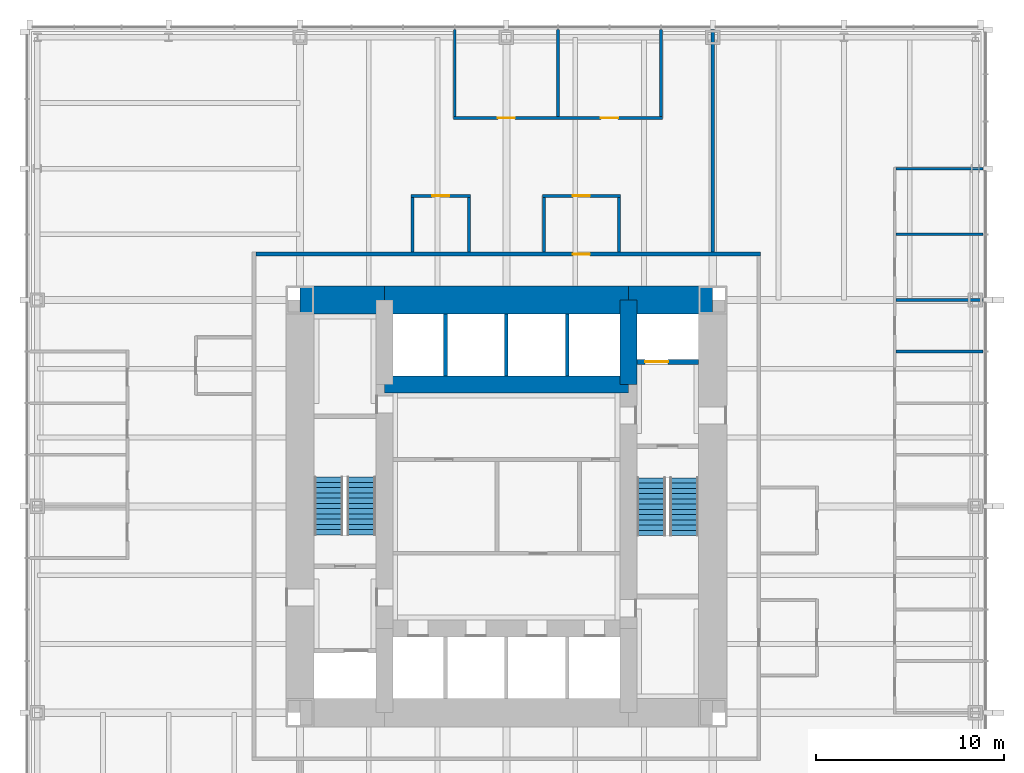
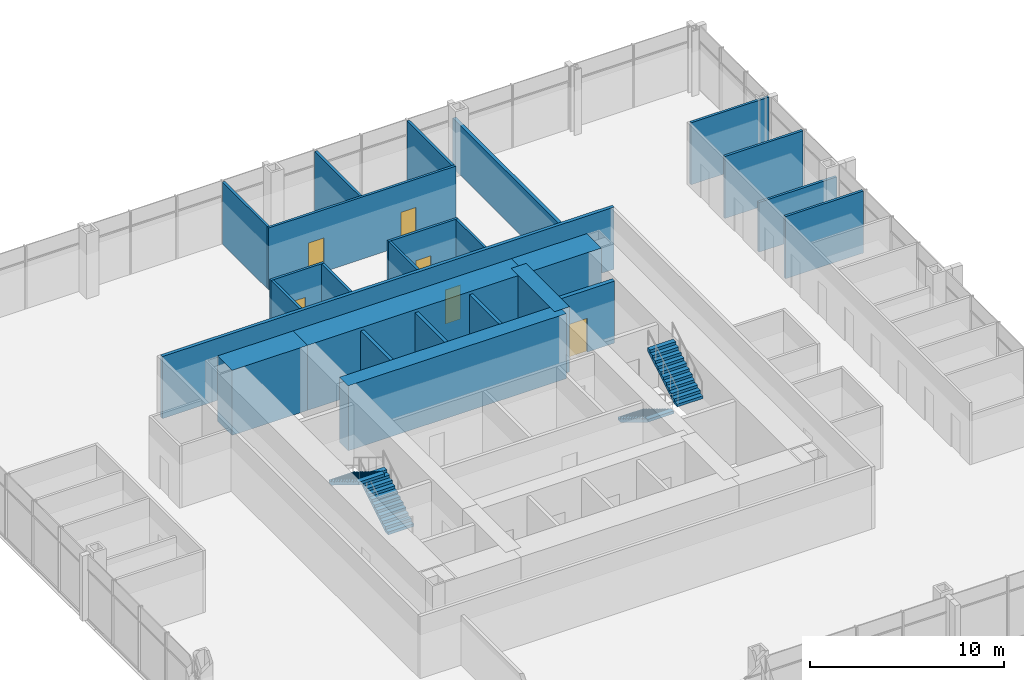
# One storey, part 11 of 12: 25 walls, 6 doors, 4 stair flights, 6 openings, 2 elements without a shape of their own.
"""IFC4 building model written with IfcOpenShell, lengths in metres."""

from ifc_helpers import new_model, si_unit, direction, frame, frame_2d, origin, place, context, subcontext, project, spatial, polyline, rectangle, outline, extrude, material, layer, layer_set, type_object, element, fill, aggregate, save


model = new_model("IFC4")

# Units and contexts
model_context = context("Model", 3, precision=1e-05, world=origin(), true_north=direction((0.0, 1.0)))
body_context = subcontext(model_context, "Body", "Model", "MODEL_VIEW")
ifc_project = project(units=[si_unit("LENGTHUNIT", "METRE"), si_unit("AREAUNIT", "SQUARE_METRE"), si_unit("VOLUMEUNIT", "CUBIC_METRE"), si_unit("PLANEANGLEUNIT", "RADIAN"), si_unit("MASSUNIT", "GRAM", prefix="KILO")], contexts=[model_context])

# Site, building, storey
site_placement = place(None, origin())
site = spatial("IfcSite", under=ifc_project, at=site_placement, CompositionType="ELEMENT")
building_placement = place(site_placement, origin())
building = spatial("IfcBuilding", under=site, at=building_placement, Name="Trevanion Tower", CompositionType="ELEMENT")
storey_placement = place(building_placement, frame((0.0, 0.0, 44.699951171875)))
storey = spatial("IfcBuildingStorey", under=building, at=storey_placement, Name="L10", CompositionType="ELEMENT", Elevation=44.699951171875)

# Walls
ifc_material_1 = material(Name="Concrete 10,000 psi", Category="concrete")
ifc_layer_1 = layer(ifc_material_1, 1.5)
ifc_layer_set_1 = layer_set([ifc_layer_1], Name="CW1 core wall 1500")
wall_type_1 = type_object("IfcWallType", Name="CW1 core wall 1500", PredefinedType="SHEAR", material=ifc_layer_set_1)
wall_1_placement = place(storey_placement, frame((11.0, 11.0, 0.0), z_axis=(0.0, 0.0, 1.0), x_axis=(-1.0, 0.0, 0.0)))
element("IfcWall", 1, at=wall_1_placement, inside=storey, type_object=wall_type_1, Name="CW1 CN1 L10", PredefinedType="SHEAR", context=body_context, shape_type="SweptSolid", body=[
    extrude(rectangle(XDim=4.5, YDim=1.5, at=frame_2d((2.25, 0.0))), origin(), (0.0, 0.0, 1.0), 4.10009765625),
])
wall_2_placement = place(storey_placement, frame((6.5, 11.0, 0.0), z_axis=(0.0, 0.0, 1.0), x_axis=(-1.0, 0.0, 0.0)))
element("IfcWall", 2, at=wall_2_placement, inside=storey, type_object=wall_type_1, Name="CW1 CN2 L10", PredefinedType="SHEAR", context=body_context, shape_type="SweptSolid", body=[
    extrude(rectangle(XDim=13.0, YDim=1.5, at=frame_2d((6.5, 0.0))), origin(), (0.0, 0.0, 1.0), 4.10009765625),
])
wall_3_placement = place(storey_placement, frame((-6.5, 11.0, 0.0), z_axis=(0.0, 0.0, 1.0), x_axis=(-1.0, 0.0, 0.0)))
element("IfcWall", 3, at=wall_3_placement, inside=storey, type_object=wall_type_1, Name="CW1 CN3 L10", PredefinedType="SHEAR", context=body_context, shape_type="SweptSolid", body=[
    extrude(rectangle(XDim=4.5, YDim=1.5, at=frame_2d((2.25, 0.0))), origin(), (0.0, 0.0, 1.0), 4.10009765625),
])
ifc_material_2 = material(Name="Concrete 10,000 psi", Category="concrete")
ifc_layer_2 = layer(ifc_material_2, 0.89990234375)
ifc_layer_set_2 = layer_set([ifc_layer_2], Name="CW2 core wall 900")
wall_type_2 = type_object("IfcWallType", Name="CW2 core wall 900", PredefinedType="SHEAR", material=ifc_layer_set_2)
wall_4_placement = place(storey_placement, frame((6.5, 6.5, 0.0), z_axis=(0.0, 0.0, 1.0), x_axis=(0.0, 1.0, 0.0)))
element("IfcWall", 4, at=wall_4_placement, inside=storey, type_object=wall_type_2, Name="CW2 RE3 L10", PredefinedType="SHEAR", context=body_context, shape_type="SweptSolid", body=[
    extrude(rectangle(XDim=4.5, YDim=0.89990234375, at=frame_2d((2.25, 0.0))), origin(), (0.0, 0.0, 1.0), 4.10009765625),
])
wall_5_placement = place(storey_placement, frame((6.5, 6.5, 0.0), z_axis=(0.0, 0.0, 1.0), x_axis=(-1.0, 0.0, 0.0)))
element("IfcWall", 5, at=wall_5_placement, inside=storey, type_object=wall_type_2, Name="CW2 RN L10", PredefinedType="SHEAR", context=body_context, shape_type="SweptSolid", body=[
    extrude(rectangle(XDim=13.0, YDim=0.89990234375, at=frame_2d((6.5, 0.0))), origin(), (0.0, 0.0, 1.0), 4.10009765625),
])
ifc_material_3 = material(Name="Gypsum board on steel studs", Category="steel")
ifc_layer_3 = layer(ifc_material_3, 0.14990234375)
ifc_layer_set_3 = layer_set([ifc_layer_3], Name="PT1 partition 150")
wall_type_3 = type_object("IfcWallType", Name="PT1 partition 150", PredefinedType="PARTITIONING", material=ifc_layer_set_3)
wall_6_placement = place(storey_placement, frame((20.77490234375, 8.25, 0.0), z_axis=(0.0, 0.0, 1.0), x_axis=(1.0, 0.0, 0.0)))
element("IfcWall", 6, at=wall_6_placement, inside=storey, type_object=wall_type_3, Name="PT1 L10 FC0S7", PredefinedType="PARTITIONING", context=body_context, shape_type="SweptSolid", body=[
    extrude(rectangle(XDim=4.64013671875, YDim=0.14990234375, at=frame_2d((2.320068359375, 0.0))), origin(), (0.0, 0.0, 1.0), 3.91015625),
])
wall_7_placement = place(storey_placement, frame((20.77490234375, 11.0, 0.0), z_axis=(0.0, 0.0, 1.0), x_axis=(1.0, 0.0, 0.0)))
element("IfcWall", 7, at=wall_7_placement, inside=storey, type_object=wall_type_3, Name="PT1 L10 FC0S8", PredefinedType="PARTITIONING", context=body_context, shape_type="SweptSolid", body=[
    extrude(rectangle(XDim=4.64013671875, YDim=0.14990234375, at=frame_2d((2.320068359375, 0.0))), origin(), (0.0, 0.0, 1.0), 3.130126953125),
])
for number, where, z_axis, x_axis, name in (
    (8, (20.77490234375, 14.5, 0.0), (0.0, 0.0, 1.0), (1.0, 0.0, 0.0), "PT1 L10 FC0S9"),
    (9, (20.77490234375, 18.0, 0.0), (0.0, 0.0, 1.0), (1.0, 0.0, 0.0), "PT1 L10 FC0S10"),
):
    element("IfcWall", number, at=place(storey_placement, frame(where, z_axis=z_axis, x_axis=x_axis)), inside=storey, type_object=wall_type_3, Name=name, PredefinedType="PARTITIONING", context=body_context, shape_type="SweptSolid", body=[
        extrude(rectangle(XDim=4.64013671875, YDim=0.14990234375, at=frame_2d((2.320068359375, 0.0))), origin(), (0.0, 0.0, 1.0), 3.91015625),
    ])

# Wall, openings, doors
wall_8_placement = place(storey_placement, frame((8.324951171875, 20.699951171875, 0.0), z_axis=(0.0, 0.0, 1.0), x_axis=(-1.0, 0.0, 0.0)))
wall_8 = element("IfcWall", 10, at=wall_8_placement, inside=storey, type_object=wall_type_3, Name="PT1 L10 FC1F", PredefinedType="PARTITIONING", context=body_context, shape_type="SweptSolid", body=[
    extrude(rectangle(XDim=11.14990234375, YDim=0.14990234375, at=frame_2d((5.574951171875, 0.0))), origin(), (0.0, 0.0, 1.0), 3.91015625),
])
opening_1_placement = place(wall_8_placement, frame((2.367431640625, 0.0, 0.0)))
opening_1 = element("IfcOpeningElement", 11, at=opening_1_placement, cuts=wall_8, Name="Opening 10-032", PredefinedType="OPENING", context=body_context, shape_type="SweptSolid", body=[
    extrude(rectangle(XDim=0.9150390625, YDim=2.134033203125, at=frame_2d((0.45751953125, 1.06689453125))), frame((0.0, 0.0849609375, 0.0), z_axis=(0.0, -1.0, 0.0), x_axis=(1.0, 0.0, 0.0)), (0.0, 0.0, 1.0), 0.169921875),
])
opening_2_placement = place(wall_8_placement, frame((7.867431640625, 0.0, 0.0)))
opening_2 = element("IfcOpeningElement", 12, at=opening_2_placement, cuts=wall_8, Name="Opening 10-033", PredefinedType="OPENING", context=body_context, shape_type="SweptSolid", body=[
    extrude(rectangle(XDim=0.9150390625, YDim=2.134033203125, at=frame_2d((0.45751953125, 1.06689453125))), frame((0.0, 0.0849609375, 0.0), z_axis=(0.0, -1.0, 0.0), x_axis=(1.0, 0.0, 0.0)), (0.0, 0.0, 1.0), 0.169921875),
])
ifc_material_4 = material(Name="Timber veneer, solid core", Category="wood")
door_type_1 = type_object("IfcDoorType", Name="D1 office and meeting room door", OperationType="SINGLE_SWING_LEFT", PredefinedType="DOOR", material=ifc_material_4)
door_1_placement = place(opening_1_placement, origin())
door_1 = element("IfcDoor", 13, at=door_1_placement, inside=storey, type_object=door_type_1, Name="Door 10-032", OperationType="SINGLE_SWING_LEFT", OverallHeight=2.134033203125, OverallWidth=0.9150390625, PredefinedType="DOOR", context=body_context, shape_type="SweptSolid", body=[
    extrude(rectangle(XDim=0.9150390625, YDim=2.134033203125, at=frame_2d((0.45751953125, 1.06689453125))), frame((0.0, 0.02490234375, 0.0), z_axis=(0.0, -1.0, 0.0), x_axis=(1.0, 0.0, 0.0)), (0.0, 0.0, 1.0), 0.050048828125),
])
fill(opening_1, door_1)
door_2_placement = place(opening_2_placement, origin())
door_2 = element("IfcDoor", 14, at=door_2_placement, inside=storey, type_object=door_type_1, Name="Door 10-033", OperationType="SINGLE_SWING_LEFT", OverallHeight=2.134033203125, OverallWidth=0.9150390625, PredefinedType="DOOR", context=body_context, shape_type="SweptSolid", body=[
    extrude(rectangle(XDim=0.9150390625, YDim=2.134033203125, at=frame_2d((0.45751953125, 1.06689453125))), frame((0.0, 0.02490234375, 0.0), z_axis=(0.0, -1.0, 0.0), x_axis=(1.0, 0.0, 0.0)), (0.0, 0.0, 1.0), 0.050048828125),
])
fill(opening_2, door_2)

# Walls
for number, where, z_axis, x_axis, name in (
    (15, (8.25, 20.77490234375, 0.0), (0.0, 0.0, 1.0), (0.0, 1.0, 0.0), "PT1 L10 FC1S0"),
    (16, (2.75, 20.77490234375, 0.0), (0.0, 0.0, 1.0), (0.0, 1.0, 0.0), "PT1 L10 FC1S2"),
    (17, (-2.75, 20.77490234375, 0.0), (0.0, 0.0, 1.0), (0.0, 1.0, 0.0), "PT1 L10 FC1S4"),
):
    element("IfcWall", number, at=place(storey_placement, frame(where, z_axis=z_axis, x_axis=x_axis)), inside=storey, type_object=wall_type_3, Name=name, PredefinedType="PARTITIONING", context=body_context, shape_type="SweptSolid", body=[
        extrude(rectangle(XDim=4.64013671875, YDim=0.14990234375, at=frame_2d((2.320068359375, 0.0))), origin(), (0.0, 0.0, 1.0), 3.91015625),
    ])

# Wall, opening, door
wall_9_placement = place(storey_placement, frame((6.074951171875, 16.550048828125, 0.0), z_axis=(0.0, 0.0, 1.0), x_axis=(-1.0, 0.0, 0.0)))
wall_9 = element("IfcWall", 18, at=wall_9_placement, inside=storey, type_object=wall_type_3, Name="PT1 L10 IN10F", PredefinedType="PARTITIONING", context=body_context, shape_type="SweptSolid", body=[
    extrude(rectangle(XDim=4.14990234375, YDim=0.14990234375, at=frame_2d((2.074951171875, 0.0))), origin(), (0.0, 0.0, 1.0), 3.91015625),
])
opening_3_placement = place(wall_9_placement, frame((1.617431640625, 0.0, 0.0)))
opening_3 = element("IfcOpeningElement", 19, at=opening_3_placement, cuts=wall_9, Name="Opening 10-037", PredefinedType="OPENING", context=body_context, shape_type="SweptSolid", body=[
    extrude(rectangle(XDim=0.9150390625, YDim=2.134033203125, at=frame_2d((0.45751953125, 1.06689453125))), frame((0.0, 0.0849609375, 0.0), z_axis=(0.0, -1.0, 0.0), x_axis=(1.0, 0.0, 0.0)), (0.0, 0.0, 1.0), 0.169921875),
])
door_3_placement = place(opening_3_placement, origin())
door_3 = element("IfcDoor", 20, at=door_3_placement, inside=storey, type_object=door_type_1, Name="Door 10-037", OperationType="SINGLE_SWING_LEFT", OverallHeight=2.134033203125, OverallWidth=0.9150390625, PredefinedType="DOOR", context=body_context, shape_type="SweptSolid", body=[
    extrude(rectangle(XDim=0.9150390625, YDim=2.134033203125, at=frame_2d((0.45751953125, 1.06689453125))), frame((0.0, 0.02490234375, 0.0), z_axis=(0.0, -1.0, 0.0), x_axis=(1.0, 0.0, 0.0)), (0.0, 0.0, 1.0), 0.050048828125),
])
fill(opening_3, door_3)

# Walls
for number, where, z_axis, x_axis, name in (
    (21, (6.0, 16.47509765625, 0.0), (0.0, 0.0, 1.0), (0.0, -1.0, 0.0), "PT1 L10 IN10S0"),
    (22, (2.0, 16.47509765625, 0.0), (0.0, 0.0, 1.0), (0.0, -1.0, 0.0), "PT1 L10 IN10S1"),
):
    element("IfcWall", number, at=place(storey_placement, frame(where, z_axis=z_axis, x_axis=x_axis)), inside=storey, type_object=wall_type_3, Name=name, PredefinedType="PARTITIONING", context=body_context, shape_type="SweptSolid", body=[
        extrude(rectangle(XDim=2.925048828125, YDim=0.14990234375, at=frame_2d((1.46240234375, 0.0))), origin(), (0.0, 0.0, 1.0), 3.91015625),
    ])

# Wall, opening, door
wall_10_placement = place(storey_placement, frame((-1.925048828125, 16.550048828125, 0.0), z_axis=(0.0, 0.0, 1.0), x_axis=(-1.0, 0.0, 0.0)))
wall_10 = element("IfcWall", 23, at=wall_10_placement, inside=storey, type_object=wall_type_3, Name="PT1 L10 IN11F", PredefinedType="PARTITIONING", context=body_context, shape_type="SweptSolid", body=[
    extrude(rectangle(XDim=3.14990234375, YDim=0.14990234375, at=frame_2d((1.574951171875, 0.0))), origin(), (0.0, 0.0, 1.0), 3.91015625),
])
opening_4_placement = place(wall_10_placement, frame((1.117431640625, 0.0, 0.0)))
opening_4 = element("IfcOpeningElement", 24, at=opening_4_placement, cuts=wall_10, Name="Opening 10-039", PredefinedType="OPENING", context=body_context, shape_type="SweptSolid", body=[
    extrude(rectangle(XDim=0.9150390625, YDim=2.134033203125, at=frame_2d((0.45751953125, 1.06689453125))), frame((0.0, 0.0849609375, 0.0), z_axis=(0.0, -1.0, 0.0), x_axis=(1.0, 0.0, 0.0)), (0.0, 0.0, 1.0), 0.169921875),
])
door_4_placement = place(opening_4_placement, origin())
door_4 = element("IfcDoor", 25, at=door_4_placement, inside=storey, type_object=door_type_1, Name="Door 10-039", OperationType="SINGLE_SWING_LEFT", OverallHeight=2.134033203125, OverallWidth=0.9150390625, PredefinedType="DOOR", context=body_context, shape_type="SweptSolid", body=[
    extrude(rectangle(XDim=0.9150390625, YDim=2.134033203125, at=frame_2d((0.45751953125, 1.06689453125))), frame((0.0, 0.02490234375, 0.0), z_axis=(0.0, -1.0, 0.0), x_axis=(1.0, 0.0, 0.0)), (0.0, 0.0, 1.0), 0.050048828125),
])
fill(opening_4, door_4)

# Walls
for number, where, z_axis, x_axis, name in (
    (26, (-2.0, 16.47509765625, 0.0), (0.0, 0.0, 1.0), (0.0, -1.0, 0.0), "PT1 L10 IN11S0"),
    (27, (-5.0, 16.47509765625, 0.0), (0.0, 0.0, 1.0), (0.0, -1.0, 0.0), "PT1 L10 IN11S1"),
):
    element("IfcWall", number, at=place(storey_placement, frame(where, z_axis=z_axis, x_axis=x_axis)), inside=storey, type_object=wall_type_3, Name=name, PredefinedType="PARTITIONING", context=body_context, shape_type="SweptSolid", body=[
        extrude(rectangle(XDim=2.925048828125, YDim=0.14990234375, at=frame_2d((1.46240234375, 0.0))), origin(), (0.0, 0.0, 1.0), 3.91015625),
    ])

# Wall, opening, door
ifc_material_5 = material(Name="Concrete masonry, grouted", Category="masonry")
ifc_layer_4 = layer(ifc_material_5, 0.199951171875)
ifc_layer_set_4 = layer_set([ifc_layer_4], Name="PT2 partition 200 1 HR")
wall_type_4 = type_object("IfcWallType", Name="PT2 partition 200 1 HR", PredefinedType="PARTITIONING", material=ifc_layer_set_4)
wall_11_placement = place(storey_placement, frame((13.550048828125, 13.449951171875, 0.0), z_axis=(0.0, 0.0, 1.0), x_axis=(-1.0, 0.0, 0.0)))
wall_11 = element("IfcWall", 28, at=wall_11_placement, inside=storey, type_object=wall_type_4, Name="PT2 L10 OC1", PredefinedType="PARTITIONING", context=body_context, shape_type="SweptSolid", body=[
    extrude(rectangle(XDim=26.900146484375, YDim=0.199951171875, at=frame_2d((13.4501953125, 0.0))), origin(), (0.0, 0.0, 1.0), 3.91015625),
])
opening_5_placement = place(wall_11_placement, frame((9.092529296875, 0.0, 0.0)))
opening_5 = element("IfcOpeningElement", 29, at=opening_5_placement, cuts=wall_11, Name="Opening 10-038", PredefinedType="OPENING", context=body_context, shape_type="SweptSolid", body=[
    extrude(rectangle(XDim=0.9150390625, YDim=2.134033203125, at=frame_2d((0.45751953125, 1.06689453125))), frame((0.0, 0.10986328125, 0.0), z_axis=(0.0, -1.0, 0.0), x_axis=(1.0, 0.0, 0.0)), (0.0, 0.0, 1.0), 0.219970703125),
])
ifc_material_6 = material(Name="Timber veneer, fire rated", Category="wood")
door_type_2 = type_object("IfcDoorType", Name="D10 office door in a one hour wall", OperationType="SINGLE_SWING_LEFT", PredefinedType="DOOR", material=ifc_material_6)
door_5_placement = place(opening_5_placement, origin())
door_5 = element("IfcDoor", 30, at=door_5_placement, inside=storey, type_object=door_type_2, Name="Door 10-038", OperationType="SINGLE_SWING_LEFT", OverallHeight=2.134033203125, OverallWidth=0.9150390625, PredefinedType="DOOR", context=body_context, shape_type="SweptSolid", body=[
    extrude(rectangle(XDim=0.9150390625, YDim=2.134033203125, at=frame_2d((0.45751953125, 1.06689453125))), frame((0.0, 0.02490234375, 0.0), z_axis=(0.0, -1.0, 0.0), x_axis=(1.0, 0.0, 0.0)), (0.0, 0.0, 1.0), 0.050048828125),
])
fill(opening_5, door_5)

# Walls
wall_12_placement = place(storey_placement, frame((11.0, 13.550048828125, 0.0), z_axis=(0.0, 0.0, 1.0), x_axis=(0.0, 1.0, 0.0)))
element("IfcWall", 31, at=wall_12_placement, inside=storey, type_object=wall_type_4, Name="PT2 L10 DM0", PredefinedType="PARTITIONING", context=body_context, shape_type="SweptSolid", body=[
    extrude(rectangle(XDim=11.864990234375, YDim=0.199951171875, at=frame_2d((5.9326171875, 0.0))), origin(), (0.0, 0.0, 1.0), 3.130126953125),
])
ifc_material_7 = material(Name="Concrete masonry, grouted", Category="masonry")
ifc_layer_5 = layer(ifc_material_7, 0.199951171875)
ifc_layer_set_5 = layer_set([ifc_layer_5], Name="PT2 partition 200 2 HR")
wall_type_5 = type_object("IfcWallType", Name="PT2 partition 200 2 HR", PredefinedType="PARTITIONING", material=ifc_layer_set_5)
for number, where, z_axis, x_axis, name in (
    (32, (-3.25, 6.949951171875, 0.0), (0.0, 0.0, 1.0), (0.0, 1.0, 0.0), "PT2 L10 NS0"),
    (33, (0.0, 6.949951171875, 0.0), (0.0, 0.0, 1.0), (0.0, 1.0, 0.0), "PT2 L10 NS1"),
    (34, (3.25, 6.949951171875, 0.0), (0.0, 0.0, 1.0), (0.0, 1.0, 0.0), "PT2 L10 NS2"),
):
    element("IfcWall", number, at=place(storey_placement, frame(where, z_axis=z_axis, x_axis=x_axis)), inside=storey, type_object=wall_type_5, Name=name, PredefinedType="PARTITIONING", context=body_context, shape_type="SweptSolid", body=[
        extrude(rectangle(XDim=3.300048828125, YDim=0.199951171875, at=frame_2d((1.64990234375, 0.0))), origin(), (0.0, 0.0, 1.0), 3.91015625),
    ])

# Wall, opening, door
ifc_material_8 = material(Name="Concrete masonry, grouted, two-hour", Category="masonry")
ifc_layer_6 = layer(ifc_material_8, 0.25)
ifc_layer_set_6 = layer_set([ifc_layer_6], Name="PT3 partition 250 2 HR")
wall_type_6 = type_object("IfcWallType", Name="PT3 partition 250 2 HR", PredefinedType="PARTITIONING", material=ifc_layer_set_6)
wall_13_placement = place(storey_placement, frame((6.949951171875, 7.699951171875, 0.0), z_axis=(0.0, 0.0, 1.0), x_axis=(1.0, 0.0, 0.0)))
wall_13 = element("IfcWall", 35, at=wall_13_placement, inside=storey, type_object=wall_type_6, Name="PT3 L10 EP3", PredefinedType="PARTITIONING", context=body_context, shape_type="SweptSolid", body=[
    extrude(rectangle(XDim=3.300048828125, YDim=0.25, at=frame_2d((1.64990234375, 0.0))), origin(), (0.0, 0.0, 1.0), 3.91015625),
])
opening_6_placement = place(wall_13_placement, frame((0.449951171875, 0.0, 0.0)))
opening_6 = element("IfcOpeningElement", 36, at=opening_6_placement, cuts=wall_13, Name="Opening 10-007", PredefinedType="OPENING", context=body_context, shape_type="SweptSolid", body=[
    extrude(rectangle(XDim=1.218994140625, YDim=2.134033203125, at=frame_2d((0.609375, 1.06689453125))), frame((0.0, 0.135009765625, 0.0), z_axis=(0.0, -1.0, 0.0), x_axis=(1.0, 0.0, 0.0)), (0.0, 0.0, 1.0), 0.27001953125),
])
ifc_material_9 = material(Name="Stainless steel, fire rated", Category="steel")
door_type_3 = type_object("IfcDoorType", Name="LD2 fire service lift landing door", OperationType="SLIDING_TO_LEFT", PredefinedType="DOOR", material=ifc_material_9)
door_6_placement = place(opening_6_placement, origin())
door_6 = element("IfcDoor", 37, at=door_6_placement, inside=storey, type_object=door_type_3, Name="Door 10-007", OperationType="SLIDING_TO_LEFT", OverallHeight=2.134033203125, OverallWidth=1.218994140625, PredefinedType="DOOR", context=body_context, shape_type="SweptSolid", body=[
    extrude(rectangle(XDim=1.218994140625, YDim=2.134033203125, at=frame_2d((0.609375, 1.06689453125))), frame((0.0, 0.02490234375, 0.0), z_axis=(0.0, -1.0, 0.0), x_axis=(1.0, 0.0, 0.0)), (0.0, 0.0, 1.0), 0.050048828125),
])
fill(opening_6, door_6)

# Stair, stair flights
ifc_material_10 = material(Name="Concrete 5,000 psi on steel stringers", Category="concrete")
stair_type = type_object("IfcStairType", Name="ST stair", PredefinedType="HALF_TURN_STAIR", material=ifc_material_10)
stair_1_placement = place(storey_placement, origin())
stair_1 = element("IfcStair", 38, at=stair_1_placement, inside=storey, type_object=stair_type, Name="ST1 L10", PredefinedType="HALF_TURN_STAIR")
ifc_material_11 = material(Name="Concrete 5,000 psi in steel pan", Category="concrete")
stair_flight_type = type_object("IfcStairFlightType", Name="STF stair flight", PredefinedType="STRAIGHT", material=ifc_material_11)
stair_flight_1_placement = place(storey_placement, frame((7.72509765625, 1.52490234375, 0.0), z_axis=(0.0, 0.0, 1.0), x_axis=(0.0, -1.0, 0.0)))
stair_flight_1 = element("IfcStairFlight", 39, at=stair_flight_1_placement, type_object=stair_flight_type, Name="ST1 flight 1", NumberOfRisers=12, NumberOfTreads=11, PredefinedType="STRAIGHT", RiserHeight=0.170833333, TreadLength=0.28, context=body_context, shape_type="SweptSolid", body=[
    extrude(outline(polyline([(0.0, 0.0), (0.0, 0.1708984375), (0.280029296875, 0.1708984375), (0.280029296875, 0.341552734375), (0.56005859375, 0.341552734375), (0.56005859375, 0.512451171875), (0.840087890625, 0.512451171875), (0.840087890625, 0.683349609375), (1.1201171875, 0.683349609375), (1.1201171875, 0.854248046875), (1.39990234375, 0.854248046875), (1.39990234375, 1.02490234375), (1.679931640625, 1.02490234375), (1.679931640625, 1.19580078125), (1.9599609375, 1.19580078125), (1.9599609375, 1.36669921875), (2.239990234375, 1.36669921875), (2.239990234375, 1.53759765625), (2.52001953125, 1.53759765625), (2.52001953125, 1.708251953125), (2.800048828125, 1.708251953125), (2.800048828125, 1.879150390625), (3.080078125, 1.879150390625), (3.080078125, 2.050048828125), (3.080078125, 1.70361328125), (0.287841796875, 0.0), (0.0, 0.0)])), frame((0.0, 0.77490234375, 0.0), z_axis=(0.0, -1.0, 0.0), x_axis=(1.0, 0.0, 0.0)), (0.0, 0.0, 1.0), 1.550048828125),
])
stair_flight_2_placement = place(storey_placement, frame((9.47509765625, -1.554931640625, 2.050048828125), z_axis=(0.0, 0.0, 1.0), x_axis=(0.0, 1.0, 0.0)))
stair_flight_2 = element("IfcStairFlight", 40, at=stair_flight_2_placement, type_object=stair_flight_type, Name="ST1 flight 2", NumberOfRisers=12, NumberOfTreads=11, PredefinedType="STRAIGHT", RiserHeight=0.170833333, TreadLength=0.28, context=body_context, shape_type="SweptSolid", body=[
    extrude(outline(polyline([(0.0, 0.0), (0.0, 0.1708984375), (0.280029296875, 0.1708984375), (0.280029296875, 0.341552734375), (0.56005859375, 0.341552734375), (0.56005859375, 0.512451171875), (0.840087890625, 0.512451171875), (0.840087890625, 0.683349609375), (1.1201171875, 0.683349609375), (1.1201171875, 0.854248046875), (1.39990234375, 0.854248046875), (1.39990234375, 1.02490234375), (1.679931640625, 1.02490234375), (1.679931640625, 1.19580078125), (1.9599609375, 1.19580078125), (1.9599609375, 1.36669921875), (2.239990234375, 1.36669921875), (2.239990234375, 1.53759765625), (2.52001953125, 1.53759765625), (2.52001953125, 1.708251953125), (2.800048828125, 1.708251953125), (2.800048828125, 1.879150390625), (3.080078125, 1.879150390625), (3.080078125, 2.050048828125), (3.080078125, 1.70361328125), (0.287841796875, 0.0), (0.0, 0.0)])), frame((0.0, 0.77490234375, 0.0), z_axis=(0.0, -1.0, 0.0), x_axis=(1.0, 0.0, 0.0)), (0.0, 0.0, 1.0), 1.550048828125),
])
aggregate(stair_1, [stair_flight_1, stair_flight_2])

stair_2_placement = place(storey_placement, origin())
stair_2 = element("IfcStair", 41, at=stair_2_placement, inside=storey, type_object=stair_type, Name="ST2 L10", PredefinedType="HALF_TURN_STAIR")
stair_flight_3_placement = place(storey_placement, frame((-7.72509765625, -1.52490234375, 0.0), z_axis=(0.0, 0.0, 1.0), x_axis=(0.0, 1.0, 0.0)))
stair_flight_3 = element("IfcStairFlight", 42, at=stair_flight_3_placement, type_object=stair_flight_type, Name="ST2 flight 1", NumberOfRisers=12, NumberOfTreads=11, PredefinedType="STRAIGHT", RiserHeight=0.170833333, TreadLength=0.28, context=body_context, shape_type="SweptSolid", body=[
    extrude(outline(polyline([(0.0, 0.0), (0.0, 0.1708984375), (0.280029296875, 0.1708984375), (0.280029296875, 0.341552734375), (0.56005859375, 0.341552734375), (0.56005859375, 0.512451171875), (0.840087890625, 0.512451171875), (0.840087890625, 0.683349609375), (1.1201171875, 0.683349609375), (1.1201171875, 0.854248046875), (1.39990234375, 0.854248046875), (1.39990234375, 1.02490234375), (1.679931640625, 1.02490234375), (1.679931640625, 1.19580078125), (1.9599609375, 1.19580078125), (1.9599609375, 1.36669921875), (2.239990234375, 1.36669921875), (2.239990234375, 1.53759765625), (2.52001953125, 1.53759765625), (2.52001953125, 1.708251953125), (2.800048828125, 1.708251953125), (2.800048828125, 1.879150390625), (3.080078125, 1.879150390625), (3.080078125, 2.050048828125), (3.080078125, 1.70361328125), (0.287841796875, 0.0), (0.0, 0.0)])), frame((0.0, 0.77490234375, 0.0), z_axis=(0.0, -1.0, 0.0), x_axis=(1.0, 0.0, 0.0)), (0.0, 0.0, 1.0), 1.550048828125),
])
stair_flight_4_placement = place(storey_placement, frame((-9.47509765625, 1.554931640625, 2.050048828125), z_axis=(0.0, 0.0, 1.0), x_axis=(0.0, -1.0, 0.0)))
stair_flight_4 = element("IfcStairFlight", 43, at=stair_flight_4_placement, type_object=stair_flight_type, Name="ST2 flight 2", NumberOfRisers=12, NumberOfTreads=11, PredefinedType="STRAIGHT", RiserHeight=0.170833333, TreadLength=0.28, context=body_context, shape_type="SweptSolid", body=[
    extrude(outline(polyline([(0.0, 0.0), (0.0, 0.1708984375), (0.280029296875, 0.1708984375), (0.280029296875, 0.341552734375), (0.56005859375, 0.341552734375), (0.56005859375, 0.512451171875), (0.840087890625, 0.512451171875), (0.840087890625, 0.683349609375), (1.1201171875, 0.683349609375), (1.1201171875, 0.854248046875), (1.39990234375, 0.854248046875), (1.39990234375, 1.02490234375), (1.679931640625, 1.02490234375), (1.679931640625, 1.19580078125), (1.9599609375, 1.19580078125), (1.9599609375, 1.36669921875), (2.239990234375, 1.36669921875), (2.239990234375, 1.53759765625), (2.52001953125, 1.53759765625), (2.52001953125, 1.708251953125), (2.800048828125, 1.708251953125), (2.800048828125, 1.879150390625), (3.080078125, 1.879150390625), (3.080078125, 2.050048828125), (3.080078125, 1.70361328125), (0.287841796875, 0.0), (0.0, 0.0)])), frame((0.0, 0.77490234375, 0.0), z_axis=(0.0, -1.0, 0.0), x_axis=(1.0, 0.0, 0.0)), (0.0, 0.0, 1.0), 1.550048828125),
])
aggregate(stair_2, [stair_flight_3, stair_flight_4])

save(model, "model.ifc")
